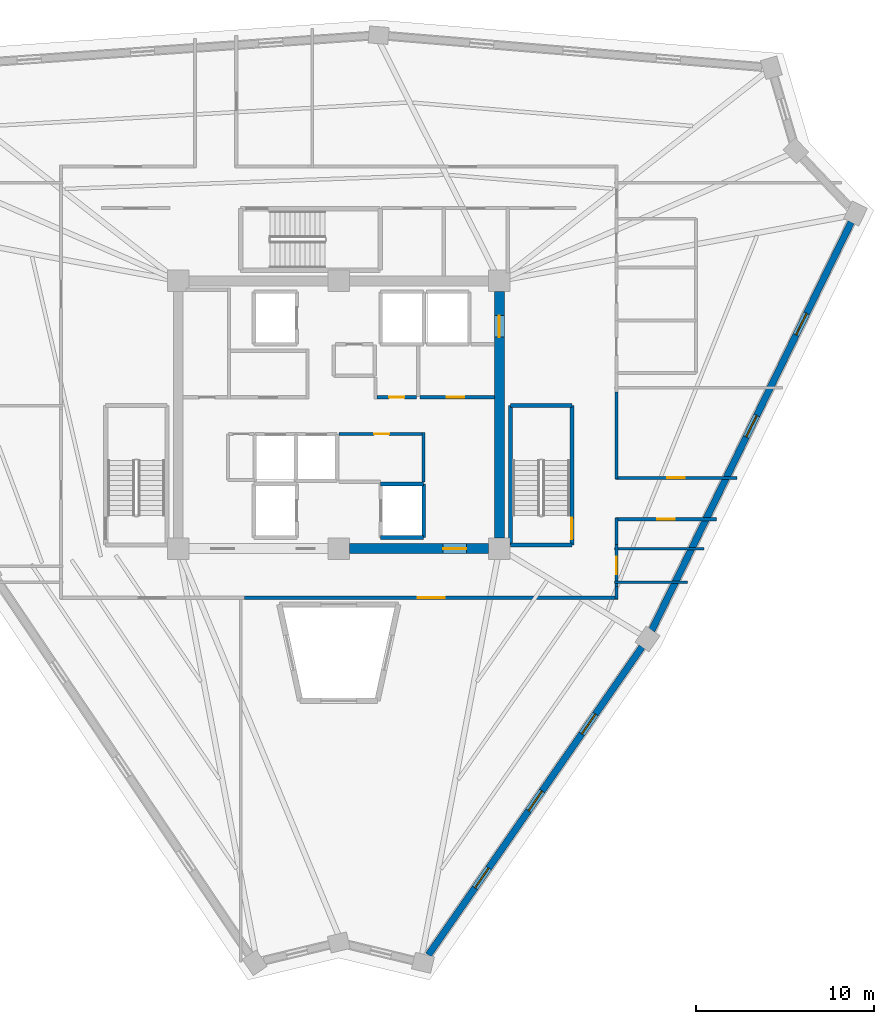
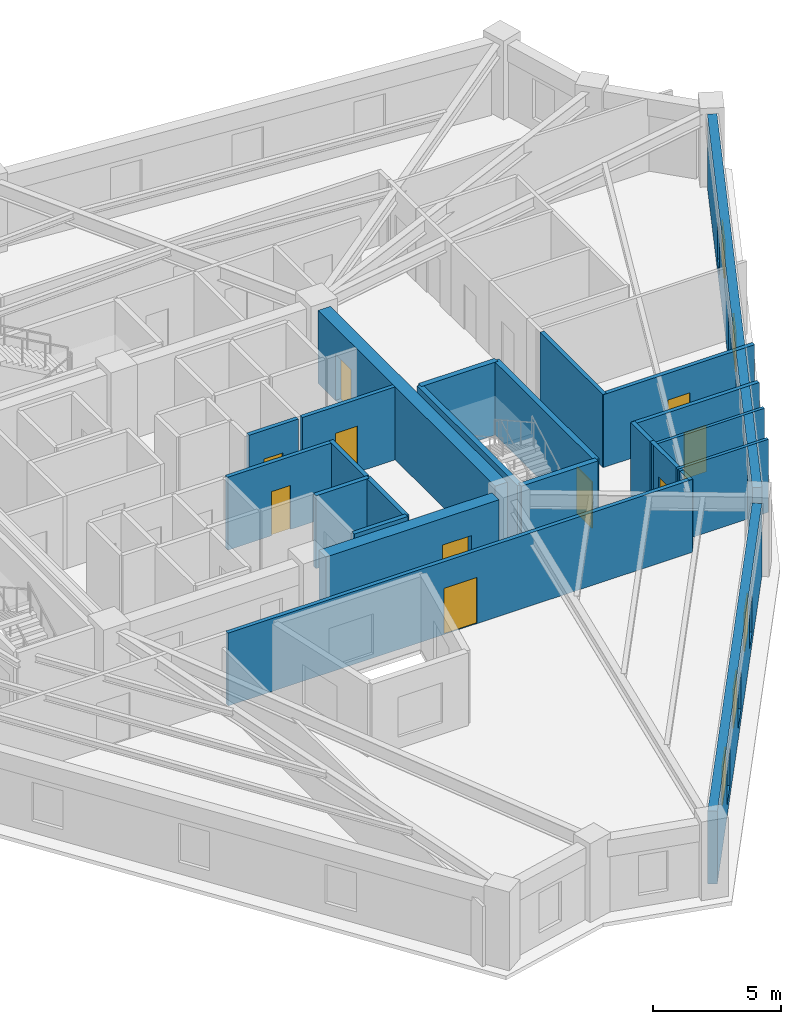
# One storey, part 4 of 8: 24 walls, 10 doors, 5 windows, 15 openings.
"""IFC4 building model written with IfcOpenShell, lengths in metres."""

from ifc_helpers import new_model, si_unit, direction, frame, frame_2d, origin, place, context, subcontext, project, spatial, rectangle, extrude, source, transform, mapped, material, layer, layer_set, type_object, element, fill, save


model = new_model("IFC4")

# Units and contexts
model_context = context("Model", 3, precision=1e-05, world=origin(), true_north=direction((0.0, 1.0)))
body_context = subcontext(model_context, "Body", "Model", "MODEL_VIEW")
ifc_project = project(units=[si_unit("LENGTHUNIT", "METRE"), si_unit("AREAUNIT", "SQUARE_METRE"), si_unit("VOLUMEUNIT", "CUBIC_METRE"), si_unit("PLANEANGLEUNIT", "RADIAN"), si_unit("MASSUNIT", "GRAM", prefix="KILO")], contexts=[model_context])

# Site, building, storey
site_placement = place(None, origin())
site = spatial("IfcSite", under=ifc_project, at=site_placement, CompositionType="ELEMENT")
building_placement = place(site_placement, origin())
building = spatial("IfcBuilding", under=site, at=building_placement, Name="Liaohun Quay Tower", CompositionType="ELEMENT")
storey_placement = place(building_placement, frame((0.0, 0.0, 347.25)))
storey = spatial("IfcBuildingStorey", under=building, at=storey_placement, Name="L90", CompositionType="ELEMENT", Elevation=347.25)

# Wall, opening, door
ifc_material_1 = material(Name="Concrete C50", Category="concrete")
ifc_layer_1 = layer(ifc_material_1, 0.550048828125, Name="Concrete C50", Category="concrete")
ifc_layer_set_1 = layer_set([ifc_layer_1], Name="Concrete C50")
wall_type_1 = type_object("IfcWallType", Name="WAL-COR-Z4", PredefinedType="SHEAR", material=ifc_layer_set_1)
wall_1_placement = place(storey_placement, frame((69.0, 60.89990234375, 0.0), z_axis=(0.0, 0.0, 1.0), x_axis=(0.0, -1.0, 0.0)))
wall_1 = element("IfcWall", 1, at=wall_1_placement, inside=storey, type_object=wall_type_1, Name="L90 Central Core Shear Wall E", PredefinedType="SHEAR", context=body_context, shape_type="SweptSolid", body=[
    extrude(rectangle(XDim=13.7998046875, YDim=0.550048828125, at=frame_2d((6.89990234375, 0.0))), origin(), (0.0, 0.0, 1.0), 3.469970703125),
])
shared_shape_1 = source(origin(), body_context, "Body", "SweptSolid", [
    extrude(rectangle(XDim=1.199951171875, YDim=2.199951171875, at=frame_2d((0.60009765625, 1.10009765625))), frame((0.0, 0.284912109375, 0.0), z_axis=(0.0, -1.0, 0.0), x_axis=(1.0, 0.0, 0.0)), (0.0, 0.0, 1.0), 0.570068359375),
])
opening_1_placement = place(wall_1_placement, frame((1.35009765625, 0.0, 0.0)))
opening_1 = element("IfcOpeningElement", 2, at=opening_1_placement, cuts=wall_1, Name="Opening SD1", PredefinedType="OPENING", context=body_context, shape_type="MappedRepresentation", body=[
    mapped(shared_shape_1, transform((0.0, 0.0, 0.0), x_axis=(1.0, 0.0, 0.0), y_axis=(0.0, 1.0, 0.0), z_axis=(0.0, 0.0, 1.0), scale=1.0)),
])
ifc_material_2 = material(Name="Galvanised steel fire door", Category="steel")
door_type_1 = type_object("IfcDoorType", Name="DOR-STR-1200", OperationType="NOTDEFINED", PredefinedType="DOOR", material=ifc_material_2)
shared_shape_2 = source(origin(), body_context, "Body", "SweptSolid", [
    extrude(rectangle(XDim=1.199951171875, YDim=2.199951171875, at=frame_2d((0.60009765625, 1.10009765625))), frame((0.0, 0.02490234375, 0.0), z_axis=(0.0, -1.0, 0.0), x_axis=(1.0, 0.0, 0.0)), (0.0, 0.0, 1.0), 0.050048828125),
])
door_1_placement = place(opening_1_placement, origin())
door_1 = element("IfcDoor", 3, at=door_1_placement, inside=storey, type_object=door_type_1, Name="L90 North-East Core Lobby Smokeproof Door", OperationType="SINGLE_SWING_LEFT", OverallHeight=2.199951171875, OverallWidth=1.199951171875, PredefinedType="DOOR", context=body_context, shape_type="MappedRepresentation", body=[
    mapped(shared_shape_2, transform((0.0, 0.0, 0.0), x_axis=(1.0, 0.0, 0.0), y_axis=(0.0, 1.0, 0.0), z_axis=(0.0, 0.0, 1.0), scale=1.0)),
])
fill(opening_1, door_1)

wall_2_placement = place(storey_placement, frame((68.39990234375, 46.5, 0.0), z_axis=(0.0, 0.0, 1.0), x_axis=(-1.0, 0.0, 0.0)))
wall_2 = element("IfcWall", 4, at=wall_2_placement, inside=storey, type_object=wall_type_1, Name="L90 Central Core Shear Wall S-E", PredefinedType="SHEAR", context=body_context, shape_type="SweptSolid", body=[
    extrude(rectangle(XDim=7.7998046875, YDim=0.550048828125, at=frame_2d((3.89990234375, 0.0))), origin(), (0.0, 0.0, 1.0), 3.469970703125),
])
shared_shape_3 = source(origin(), body_context, "Body", "SweptSolid", [
    extrude(rectangle(XDim=1.300048828125, YDim=2.199951171875, at=frame_2d((0.64990234375, 1.10009765625))), frame((0.0, 0.284912109375, 0.0), z_axis=(0.0, -1.0, 0.0), x_axis=(1.0, 0.0, 0.0)), (0.0, 0.0, 1.0), 0.570068359375),
])
opening_2_placement = place(wall_2_placement, frame((1.25, 0.0, 0.0)))
opening_2 = element("IfcOpeningElement", 5, at=opening_2_placement, cuts=wall_2, Name="Opening FD1", PredefinedType="OPENING", context=body_context, shape_type="MappedRepresentation", body=[
    mapped(shared_shape_3, transform((0.0, 0.0, 0.0), x_axis=(1.0, 0.0, 0.0), y_axis=(0.0, 1.0, 0.0), z_axis=(0.0, 0.0, 1.0), scale=1.0)),
])
ifc_material_3 = material(Name="Galvanised steel smokeproof fire door", Category="steel")
door_type_2 = type_object("IfcDoorType", Name="DOR-FFL-1300", OperationType="NOTDEFINED", PredefinedType="DOOR", material=ifc_material_3)
shared_shape_4 = source(origin(), body_context, "Body", "SweptSolid", [
    extrude(rectangle(XDim=1.300048828125, YDim=2.199951171875, at=frame_2d((0.64990234375, 1.10009765625))), frame((0.0, 0.02490234375, 0.0), z_axis=(0.0, -1.0, 0.0), x_axis=(1.0, 0.0, 0.0)), (0.0, 0.0, 1.0), 0.050048828125),
])
door_2_placement = place(opening_2_placement, origin())
door_2 = element("IfcDoor", 6, at=door_2_placement, inside=storey, type_object=door_type_2, Name="L90 East Core Lift Lobby Smokeproof Door", OperationType="SINGLE_SWING_LEFT", OverallHeight=2.199951171875, OverallWidth=1.300048828125, PredefinedType="DOOR", context=body_context, shape_type="MappedRepresentation", body=[
    mapped(shared_shape_4, transform((0.0, 0.0, 0.0), x_axis=(1.0, 0.0, 0.0), y_axis=(0.0, 1.0, 0.0), z_axis=(0.0, 0.0, 1.0), scale=1.0)),
])
fill(opening_2, door_2)

# Wall, openings, windows
ifc_material_4 = material(Name="Precast concrete C50 insulated sandwich", Category="concrete")
ifc_layer_2 = layer(ifc_material_4, 0.3798828125, Name="Precast concrete C50 insulated sandwich", Category="concrete")
ifc_layer_set_2 = layer_set([ifc_layer_2], Name="Precast concrete C50 insulated sandwich")
wall_type_2 = type_object("IfcWallType", Name="WAL-EXT-Z34", PredefinedType="SOLIDWALL", material=ifc_layer_set_2)
wall_3_placement = place(storey_placement, frame((65.02294921875, 23.736083984375, 0.0), z_axis=(0.0, 0.0, 1.0), x_axis=(0.569887562459, 0.821722682025, 0.0)))
wall_3 = element("IfcWall", 7, at=wall_3_placement, inside=storey, type_object=wall_type_2, Name="L90 Brutalist Precast Pier Wall 02", PredefinedType="SOLIDWALL", context=body_context, shape_type="SweptSolid", body=[
    extrude(rectangle(XDim=20.997314453125, YDim=0.3798828125, at=frame_2d((10.49853515625, 0.0))), origin(), (0.0, 0.0, 1.0), 3.469970703125),
])
shared_shape_5 = source(origin(), body_context, "Body", "SweptSolid", [
    extrude(rectangle(XDim=1.35009765625, YDim=1.85009765625, at=frame_2d((0.675048828125, 0.925048828125))), frame((0.0, 0.199951171875, 0.0), z_axis=(0.0, -1.0, 0.0), x_axis=(1.0, 0.0, 0.0)), (0.0, 0.0, 1.0), 0.39990234375),
])
opening_3_placement = place(wall_3_placement, frame((4.573974609375, 0.0, 0.550048828125)))
opening_3 = element("IfcOpeningElement", 8, at=opening_3_placement, cuts=wall_3, Name="Opening W04", PredefinedType="OPENING", context=body_context, shape_type="MappedRepresentation", body=[
    mapped(shared_shape_5, transform((0.0, 0.0, 0.0), x_axis=(1.0, 0.0, 0.0), y_axis=(0.0, 1.0, 0.0), z_axis=(0.0, 0.0, 1.0), scale=1.0)),
])
opening_4_placement = place(wall_3_placement, frame((9.823974609375, 0.0, 0.550048828125)))
opening_4 = element("IfcOpeningElement", 9, at=opening_4_placement, cuts=wall_3, Name="Opening W04", PredefinedType="OPENING", context=body_context, shape_type="MappedRepresentation", body=[
    mapped(shared_shape_5, transform((0.0, 0.0, 0.0), x_axis=(1.0, 0.0, 0.0), y_axis=(0.0, 1.0, 0.0), z_axis=(0.0, 0.0, 1.0), scale=1.0)),
])
opening_5_placement = place(wall_3_placement, frame((15.072998046875, 0.0, 0.550048828125)))
opening_5 = element("IfcOpeningElement", 10, at=opening_5_placement, cuts=wall_3, Name="Opening W04", PredefinedType="OPENING", context=body_context, shape_type="MappedRepresentation", body=[
    mapped(shared_shape_5, transform((0.0, 0.0, 0.0), x_axis=(1.0, 0.0, 0.0), y_axis=(0.0, 1.0, 0.0), z_axis=(0.0, 0.0, 1.0), scale=1.0)),
])
ifc_material_5 = material(Name="Triple Low-E argon glazing in thermally broken aluminium", Category="aluminium")
window_type = type_object("IfcWindowType", Name="WIN-PUN-Z4", PartitioningType="SINGLE_PANEL", PredefinedType="WINDOW", material=ifc_material_5)
shared_shape_6 = source(origin(), body_context, "Body", "SweptSolid", [
    extrude(rectangle(XDim=1.35009765625, YDim=1.85009765625, at=frame_2d((0.675048828125, 0.925048828125))), frame((0.0, 0.030029296875, 0.0), z_axis=(0.0, -1.0, 0.0), x_axis=(1.0, 0.0, 0.0)), (0.0, 0.0, 1.0), 0.06005859375),
])
window_1_placement = place(opening_3_placement, origin())
window_1 = element("IfcWindow", 11, at=window_1_placement, inside=storey, type_object=window_type, Name="L90 Recessed Cold-Climate Punched Window 02-1", OverallHeight=1.85009765625, OverallWidth=1.35009765625, PartitioningType="SINGLE_PANEL", PredefinedType="WINDOW", context=body_context, shape_type="MappedRepresentation", body=[
    mapped(shared_shape_6, transform((0.0, 0.0, 0.0), x_axis=(1.0, 0.0, 0.0), y_axis=(0.0, 1.0, 0.0), z_axis=(0.0, 0.0, 1.0), scale=1.0)),
])
fill(opening_3, window_1)
window_2_placement = place(opening_4_placement, origin())
window_2 = element("IfcWindow", 12, at=window_2_placement, inside=storey, type_object=window_type, Name="L90 Recessed Cold-Climate Punched Window 02-2", OverallHeight=1.85009765625, OverallWidth=1.35009765625, PartitioningType="SINGLE_PANEL", PredefinedType="WINDOW", context=body_context, shape_type="MappedRepresentation", body=[
    mapped(shared_shape_6, transform((0.0, 0.0, 0.0), x_axis=(1.0, 0.0, 0.0), y_axis=(0.0, 1.0, 0.0), z_axis=(0.0, 0.0, 1.0), scale=1.0)),
])
fill(opening_4, window_2)
window_3_placement = place(opening_5_placement, origin())
window_3 = element("IfcWindow", 13, at=window_3_placement, inside=storey, type_object=window_type, Name="L90 Recessed Cold-Climate Punched Window 02-3", OverallHeight=1.85009765625, OverallWidth=1.35009765625, PartitioningType="SINGLE_PANEL", PredefinedType="WINDOW", context=body_context, shape_type="MappedRepresentation", body=[
    mapped(shared_shape_6, transform((0.0, 0.0, 0.0), x_axis=(1.0, 0.0, 0.0), y_axis=(0.0, 1.0, 0.0), z_axis=(0.0, 0.0, 1.0), scale=1.0)),
])
fill(opening_5, window_3)

wall_4_placement = place(storey_placement, frame((77.533935546875, 41.9189453125, 0.0), z_axis=(0.0, 0.0, 1.0), x_axis=(0.438992867409, 0.898490546619, 0.0)))
wall_4 = element("IfcWall", 14, at=wall_4_placement, inside=storey, type_object=wall_type_2, Name="L90 Brutalist Precast Pier Wall 03", PredefinedType="SOLIDWALL", context=body_context, shape_type="SweptSolid", body=[
    extrude(rectangle(XDim=25.4560546875, YDim=0.3798828125, at=frame_2d((12.72802734375, 0.0))), origin(), (0.0, 0.0, 1.0), 3.469970703125),
])
opening_6_placement = place(wall_4_placement, frame((12.052978515625, 0.0, 0.550048828125)))
opening_6 = element("IfcOpeningElement", 15, at=opening_6_placement, cuts=wall_4, Name="Opening W04", PredefinedType="OPENING", context=body_context, shape_type="MappedRepresentation", body=[
    mapped(shared_shape_5, transform((0.0, 0.0, 0.0), x_axis=(1.0, 0.0, 0.0), y_axis=(0.0, 1.0, 0.0), z_axis=(0.0, 0.0, 1.0), scale=1.0)),
])
opening_7_placement = place(wall_4_placement, frame((18.4169921875, 0.0, 0.550048828125)))
opening_7 = element("IfcOpeningElement", 16, at=opening_7_placement, cuts=wall_4, Name="Opening W04", PredefinedType="OPENING", context=body_context, shape_type="MappedRepresentation", body=[
    mapped(shared_shape_5, transform((0.0, 0.0, 0.0), x_axis=(1.0, 0.0, 0.0), y_axis=(0.0, 1.0, 0.0), z_axis=(0.0, 0.0, 1.0), scale=1.0)),
])
window_4_placement = place(opening_6_placement, origin())
window_4 = element("IfcWindow", 17, at=window_4_placement, inside=storey, type_object=window_type, Name="L90 Recessed Cold-Climate Punched Window 03-2", OverallHeight=1.85009765625, OverallWidth=1.35009765625, PartitioningType="SINGLE_PANEL", PredefinedType="WINDOW", context=body_context, shape_type="MappedRepresentation", body=[
    mapped(shared_shape_6, transform((0.0, 0.0, 0.0), x_axis=(1.0, 0.0, 0.0), y_axis=(0.0, 1.0, 0.0), z_axis=(0.0, 0.0, 1.0), scale=1.0)),
])
fill(opening_6, window_4)
window_5_placement = place(opening_7_placement, origin())
window_5 = element("IfcWindow", 18, at=window_5_placement, inside=storey, type_object=window_type, Name="L90 Recessed Cold-Climate Punched Window 03-3", OverallHeight=1.85009765625, OverallWidth=1.35009765625, PartitioningType="SINGLE_PANEL", PredefinedType="WINDOW", context=body_context, shape_type="MappedRepresentation", body=[
    mapped(shared_shape_6, transform((0.0, 0.0, 0.0), x_axis=(1.0, 0.0, 0.0), y_axis=(0.0, 1.0, 0.0), z_axis=(0.0, 0.0, 1.0), scale=1.0)),
])
fill(opening_7, window_5)

# Wall, opening, door
ifc_material_6 = material(Name="Autoclaved aerated concrete blockwork", Category="masonry")
ifc_layer_3 = layer(ifc_material_6, 0.179931640625, Name="Autoclaved aerated concrete blockwork", Category="masonry")
ifc_layer_set_3 = layer_set([ifc_layer_3], Name="Autoclaved aerated concrete blockwork")
wall_type_3 = type_object("IfcWallType", Name="WAL-PRT-COR", PredefinedType="PARTITIONING", material=ifc_layer_set_3)
wall_5_placement = place(storey_placement, frame((60.0, 52.919921875, 0.0), z_axis=(0.0, 0.0, 1.0), x_axis=(1.0, 0.0, 0.0)))
wall_5 = element("IfcWall", 19, at=wall_5_placement, inside=storey, type_object=wall_type_3, Name="L90 Interior Partition Wall 001", PredefinedType="PARTITIONING", context=body_context, shape_type="SweptSolid", body=[
    extrude(rectangle(XDim=4.659912109375, YDim=0.179931640625, at=frame_2d((2.330078125, 0.0))), origin(), (0.0, 0.0, 1.0), 3.469970703125),
])
shared_shape_7 = source(origin(), body_context, "Body", "SweptSolid", [
    extrude(rectangle(XDim=0.85009765625, YDim=2.10009765625, at=frame_2d((0.425048828125, 1.050048828125))), frame((0.0, 0.099853515625, 0.0), z_axis=(0.0, -1.0, 0.0), x_axis=(1.0, 0.0, 0.0)), (0.0, 0.0, 1.0), 0.199951171875),
])
opening_8_placement = place(wall_5_placement, frame((1.97509765625, 0.0, 0.0)))
opening_8 = element("IfcOpeningElement", 20, at=opening_8_placement, cuts=wall_5, Name="Opening AD1", PredefinedType="OPENING", context=body_context, shape_type="MappedRepresentation", body=[
    mapped(shared_shape_7, transform((0.0, 0.0, 0.0), x_axis=(1.0, 0.0, 0.0), y_axis=(0.0, 1.0, 0.0), z_axis=(0.0, 0.0, 1.0), scale=1.0)),
])
ifc_material_7 = material(Name="Steel riser inspection fire door", Category="steel")
door_type_3 = type_object("IfcDoorType", Name="DOR-SHF-850", OperationType="NOTDEFINED", PredefinedType="DOOR", material=ifc_material_7)
shared_shape_8 = source(origin(), body_context, "Body", "SweptSolid", [
    extrude(rectangle(XDim=0.85009765625, YDim=2.10009765625, at=frame_2d((0.425048828125, 1.050048828125))), frame((0.0, 0.02490234375, 0.0), z_axis=(0.0, -1.0, 0.0), x_axis=(1.0, 0.0, 0.0)), (0.0, 0.0, 1.0), 0.050048828125),
])
door_3_placement = place(opening_8_placement, origin())
door_3 = element("IfcDoor", 21, at=door_3_placement, inside=storey, type_object=door_type_3, Name="L90 Core High-Zone BMS and Switch Room Door", OperationType="SINGLE_SWING_RIGHT", OverallHeight=2.10009765625, OverallWidth=0.85009765625, PredefinedType="DOOR", context=body_context, shape_type="MappedRepresentation", body=[
    mapped(shared_shape_8, transform((0.0, 0.0, 0.0), x_axis=(1.0, 0.0, 0.0), y_axis=(0.0, 1.0, 0.0), z_axis=(0.0, 0.0, 1.0), scale=1.0)),
])
fill(opening_8, door_3)

wall_6_placement = place(storey_placement, frame((62.139892578125, 54.97998046875, 0.0), z_axis=(0.0, 0.0, 1.0), x_axis=(1.0, 0.0, 0.0)))
wall_6 = element("IfcWall", 22, at=wall_6_placement, inside=storey, type_object=wall_type_3, Name="L90 Interior Partition Wall 004", PredefinedType="PARTITIONING", context=body_context, shape_type="SweptSolid", body=[
    extrude(rectangle(XDim=2.22021484375, YDim=0.179931640625, at=frame_2d((1.110107421875, 0.0))), origin(), (0.0, 0.0, 1.0), 3.469970703125),
])
opening_9_placement = place(wall_6_placement, frame((0.68505859375, 0.0, 0.0)))
opening_9 = element("IfcOpeningElement", 23, at=opening_9_placement, cuts=wall_6, Name="Opening AD1", PredefinedType="OPENING", context=body_context, shape_type="MappedRepresentation", body=[
    mapped(shared_shape_7, transform((0.0, 0.0, 0.0), x_axis=(1.0, 0.0, 0.0), y_axis=(0.0, 1.0, 0.0), z_axis=(0.0, 0.0, 1.0), scale=1.0)),
])
door_4_placement = place(opening_9_placement, origin())
door_4 = element("IfcDoor", 24, at=door_4_placement, inside=storey, type_object=door_type_3, Name="L90 Core Cleaner Store Door", OperationType="SINGLE_SWING_LEFT", OverallHeight=2.10009765625, OverallWidth=0.85009765625, PredefinedType="DOOR", context=body_context, shape_type="MappedRepresentation", body=[
    mapped(shared_shape_8, transform((0.0, 0.0, 0.0), x_axis=(1.0, 0.0, 0.0), y_axis=(0.0, 1.0, 0.0), z_axis=(0.0, 0.0, 1.0), scale=1.0)),
])
fill(opening_9, door_4)

wall_7_placement = place(storey_placement, frame((64.5400390625, 54.97998046875, 0.0), z_axis=(0.0, 0.0, 1.0), x_axis=(1.0, 0.0, 0.0)))
wall_7 = element("IfcWall", 25, at=wall_7_placement, inside=storey, type_object=wall_type_3, Name="L90 Interior Partition Wall 005", PredefinedType="PARTITIONING", context=body_context, shape_type="SweptSolid", body=[
    extrude(rectangle(XDim=4.18505859375, YDim=0.179931640625, at=frame_2d((2.092529296875, 0.0))), origin(), (0.0, 0.0, 1.0), 3.469970703125),
])
shared_shape_9 = source(origin(), body_context, "Body", "SweptSolid", [
    extrude(rectangle(XDim=1.0, YDim=2.199951171875, at=frame_2d((0.5, 1.10009765625))), frame((0.0, 0.099853515625, 0.0), z_axis=(0.0, -1.0, 0.0), x_axis=(1.0, 0.0, 0.0)), (0.0, 0.0, 1.0), 0.199951171875),
])
opening_10_placement = place(wall_7_placement, frame((1.4951171875, 0.0, 0.0)))
opening_10 = element("IfcOpeningElement", 26, at=opening_10_placement, cuts=wall_7, Name="Opening OD1", PredefinedType="OPENING", context=body_context, shape_type="MappedRepresentation", body=[
    mapped(shared_shape_9, transform((0.0, 0.0, 0.0), x_axis=(1.0, 0.0, 0.0), y_axis=(0.0, 1.0, 0.0), z_axis=(0.0, 0.0, 1.0), scale=1.0)),
])
ifc_material_8 = material(Name="Solid-core oak veneer timber leaf in steel frame", Category="steel")
door_type_4 = type_object("IfcDoorType", Name="DOR-OFF-1000", OperationType="NOTDEFINED", PredefinedType="DOOR", material=ifc_material_8)
shared_shape_10 = source(origin(), body_context, "Body", "SweptSolid", [
    extrude(rectangle(XDim=1.0, YDim=2.199951171875, at=frame_2d((0.5, 1.10009765625))), frame((0.0, 0.02490234375, 0.0), z_axis=(0.0, -1.0, 0.0), x_axis=(1.0, 0.0, 0.0)), (0.0, 0.0, 1.0), 0.050048828125),
])
door_5_placement = place(opening_10_placement, origin())
door_5 = element("IfcDoor", 27, at=door_5_placement, inside=storey, type_object=door_type_4, Name="L90 Core High-Zone Pantry Room Door", OperationType="SINGLE_SWING_RIGHT", OverallHeight=2.199951171875, OverallWidth=1.0, PredefinedType="DOOR", context=body_context, shape_type="MappedRepresentation", body=[
    mapped(shared_shape_10, transform((0.0, 0.0, 0.0), x_axis=(1.0, 0.0, 0.0), y_axis=(0.0, 1.0, 0.0), z_axis=(0.0, 0.0, 1.0), scale=1.0)),
])
fill(opening_10, door_5)

wall_8_placement = place(storey_placement, frame((75.6298828125, 43.739990234375, 0.0), z_axis=(0.0, 0.0, 1.0), x_axis=(-1.0, 0.0, 0.0)))
wall_8 = element("IfcWall", 28, at=wall_8_placement, inside=storey, type_object=wall_type_3, Name="L90 Interior Partition Wall 022", PredefinedType="PARTITIONING", context=body_context, shape_type="SweptSolid", body=[
    extrude(rectangle(XDim=20.914794921875, YDim=0.179931640625, at=frame_2d((10.45751953125, 0.0))), origin(), (0.0, 0.0, 1.0), 3.469970703125),
])
shared_shape_11 = source(origin(), body_context, "Body", "SweptSolid", [
    extrude(rectangle(XDim=1.5, YDim=2.199951171875, at=frame_2d((0.75, 1.10009765625))), frame((0.0, 0.099853515625, 0.0), z_axis=(0.0, -1.0, 0.0), x_axis=(1.0, 0.0, 0.0)), (0.0, 0.0, 1.0), 0.199951171875),
])
opening_11_placement = place(wall_8_placement, frame((9.70703125, 0.0, 0.0)))
opening_11 = element("IfcOpeningElement", 29, at=opening_11_placement, cuts=wall_8, Name="Opening OD2", PredefinedType="OPENING", context=body_context, shape_type="MappedRepresentation", body=[
    mapped(shared_shape_11, transform((0.0, 0.0, 0.0), x_axis=(1.0, 0.0, 0.0), y_axis=(0.0, 1.0, 0.0), z_axis=(0.0, 0.0, 1.0), scale=1.0)),
])
ifc_material_9 = material(Name="Acoustic oak veneer double door")
door_type_5 = type_object("IfcDoorType", Name="DOR-OFF-1500", OperationType="DOUBLE_DOOR_SINGLE_SWING", PredefinedType="DOOR", material=ifc_material_9)
shared_shape_12 = source(origin(), body_context, "Body", "SweptSolid", [
    extrude(rectangle(XDim=1.5, YDim=2.199951171875, at=frame_2d((0.75, 1.10009765625))), frame((0.0, 0.02490234375, 0.0), z_axis=(0.0, -1.0, 0.0), x_axis=(1.0, 0.0, 0.0)), (0.0, 0.0, 1.0), 0.050048828125),
])
door_6_placement = place(opening_11_placement, origin())
door_6 = element("IfcDoor", 30, at=door_6_placement, inside=storey, type_object=door_type_5, Name="L90 Corporate Exhibition Gallery 08 Door", OperationType="DOUBLE_DOOR_SINGLE_SWING", OverallHeight=2.199951171875, OverallWidth=1.5, PredefinedType="DOOR", context=body_context, shape_type="MappedRepresentation", body=[
    mapped(shared_shape_12, transform((0.0, 0.0, 0.0), x_axis=(1.0, 0.0, 0.0), y_axis=(0.0, 1.0, 0.0), z_axis=(0.0, 0.0, 1.0), scale=1.0)),
])
fill(opening_11, door_6)

wall_9_placement = place(storey_placement, frame((75.56005859375, 46.715087890625, 0.0), z_axis=(0.0, 0.0, 1.0), x_axis=(0.0, -1.0, 0.0)))
wall_9 = element("IfcWall", 31, at=wall_9_placement, inside=storey, type_object=wall_type_3, Name="L90 Interior Partition Wall 023", PredefinedType="PARTITIONING", context=body_context, shape_type="SweptSolid", body=[
    extrude(rectangle(XDim=2.330078125, YDim=0.179931640625, at=frame_2d((1.1650390625, 0.0))), origin(), (0.0, 0.0, 1.0), 3.469970703125),
])
opening_12_placement = place(wall_9_placement, frame((0.6650390625, 0.0, 0.0)))
opening_12 = element("IfcOpeningElement", 32, at=opening_12_placement, cuts=wall_9, Name="Opening OD1", PredefinedType="OPENING", context=body_context, shape_type="MappedRepresentation", body=[
    mapped(shared_shape_9, transform((0.0, 0.0, 0.0), x_axis=(1.0, 0.0, 0.0), y_axis=(0.0, 1.0, 0.0), z_axis=(0.0, 0.0, 1.0), scale=1.0)),
])
door_7_placement = place(opening_12_placement, origin())
door_7 = element("IfcDoor", 33, at=door_7_placement, inside=storey, type_object=door_type_4, Name="L90 Records Archive Store 09 Door", OperationType="SINGLE_SWING_RIGHT", OverallHeight=2.199951171875, OverallWidth=1.0, PredefinedType="DOOR", context=body_context, shape_type="MappedRepresentation", body=[
    mapped(shared_shape_10, transform((0.0, 0.0, 0.0), x_axis=(1.0, 0.0, 0.0), y_axis=(0.0, 1.0, 0.0), z_axis=(0.0, 0.0, 1.0), scale=1.0)),
])
fill(opening_12, door_7)

wall_10_placement = place(storey_placement, frame((81.166015625, 48.139892578125, 0.0), z_axis=(0.0, 0.0, 1.0), x_axis=(-1.0, 0.0, 0.0)))
wall_10 = element("IfcWall", 34, at=wall_10_placement, inside=storey, type_object=wall_type_3, Name="L90 Interior Partition Wall 024", PredefinedType="PARTITIONING", context=body_context, shape_type="SweptSolid", body=[
    extrude(rectangle(XDim=5.676025390625, YDim=0.179931640625, at=frame_2d((2.837890625, 0.0))), origin(), (0.0, 0.0, 1.0), 3.469970703125),
])
opening_13_placement = place(wall_10_placement, frame((2.337890625, 0.0, 0.0)))
opening_13 = element("IfcOpeningElement", 35, at=opening_13_placement, cuts=wall_10, Name="Opening OD1", PredefinedType="OPENING", context=body_context, shape_type="MappedRepresentation", body=[
    mapped(shared_shape_9, transform((0.0, 0.0, 0.0), x_axis=(1.0, 0.0, 0.0), y_axis=(0.0, 1.0, 0.0), z_axis=(0.0, 0.0, 1.0), scale=1.0)),
])
door_8_placement = place(opening_13_placement, origin())
door_8 = element("IfcDoor", 36, at=door_8_placement, inside=storey, type_object=door_type_4, Name="L90 Open-Plan Office Workplace 10 Door", OperationType="SINGLE_SWING_LEFT", OverallHeight=2.199951171875, OverallWidth=1.0, PredefinedType="DOOR", context=body_context, shape_type="MappedRepresentation", body=[
    mapped(shared_shape_10, transform((0.0, 0.0, 0.0), x_axis=(1.0, 0.0, 0.0), y_axis=(0.0, 1.0, 0.0), z_axis=(0.0, 0.0, 1.0), scale=1.0)),
])
fill(opening_13, door_8)

wall_11_placement = place(storey_placement, frame((75.489990234375, 50.4599609375, 0.0), z_axis=(0.0, 0.0, 1.0), x_axis=(1.0, 0.0, 0.0)))
wall_11 = element("IfcWall", 37, at=wall_11_placement, inside=storey, type_object=wall_type_3, Name="L90 Interior Partition Wall 025", PredefinedType="PARTITIONING", context=body_context, shape_type="SweptSolid", body=[
    extrude(rectangle(XDim=6.81005859375, YDim=0.179931640625, at=frame_2d((3.405029296875, 0.0))), origin(), (0.0, 0.0, 1.0), 3.469970703125),
])
opening_14_placement = place(wall_11_placement, frame((2.905029296875, 0.0, 0.0)))
opening_14 = element("IfcOpeningElement", 38, at=opening_14_placement, cuts=wall_11, Name="Opening OD1", PredefinedType="OPENING", context=body_context, shape_type="MappedRepresentation", body=[
    mapped(shared_shape_9, transform((0.0, 0.0, 0.0), x_axis=(1.0, 0.0, 0.0), y_axis=(0.0, 1.0, 0.0), z_axis=(0.0, 0.0, 1.0), scale=1.0)),
])
door_9_placement = place(opening_14_placement, origin())
door_9 = element("IfcDoor", 39, at=door_9_placement, inside=storey, type_object=door_type_4, Name="L90 Executive Partner Office 11 Door", OperationType="SINGLE_SWING_RIGHT", OverallHeight=2.199951171875, OverallWidth=1.0, PredefinedType="DOOR", context=body_context, shape_type="MappedRepresentation", body=[
    mapped(shared_shape_10, transform((0.0, 0.0, 0.0), x_axis=(1.0, 0.0, 0.0), y_axis=(0.0, 1.0, 0.0), z_axis=(0.0, 0.0, 1.0), scale=1.0)),
])
fill(opening_14, door_9)

# Walls
wall_12_placement = place(storey_placement, frame((75.56005859375, 44.385009765625, 0.0), z_axis=(0.0, 0.0, 1.0), x_axis=(0.0, -1.0, 0.0)))
element("IfcWall", 40, at=wall_12_placement, inside=storey, type_object=wall_type_3, Name="L90 Interior Partition Wall 045", PredefinedType="PARTITIONING", context=body_context, shape_type="SweptSolid", body=[
    extrude(rectangle(XDim=0.715087890625, YDim=0.179931640625, at=frame_2d((0.357421875, 0.0))), origin(), (0.0, 0.0, 1.0), 3.469970703125),
])
wall_13_placement = place(storey_placement, frame((75.56005859375, 48.2099609375, 0.0), z_axis=(0.0, 0.0, 1.0), x_axis=(0.0, -1.0, 0.0)))
element("IfcWall", 41, at=wall_13_placement, inside=storey, type_object=wall_type_3, Name="L90 Interior Partition Wall 046", PredefinedType="PARTITIONING", context=body_context, shape_type="SweptSolid", body=[
    extrude(rectangle(XDim=1.494873046875, YDim=0.179931640625, at=frame_2d((0.74755859375, 0.0))), origin(), (0.0, 0.0, 1.0), 3.469970703125),
])
wall_14_placement = place(storey_placement, frame((75.56005859375, 55.284912109375, 0.0), z_axis=(0.0, 0.0, 1.0), x_axis=(0.0, -1.0, 0.0)))
element("IfcWall", 42, at=wall_14_placement, inside=storey, type_object=wall_type_3, Name="L90 Interior Partition Wall 047", PredefinedType="PARTITIONING", context=body_context, shape_type="SweptSolid", body=[
    extrude(rectangle(XDim=4.89501953125, YDim=0.179931640625, at=frame_2d((2.447509765625, 0.0))), origin(), (0.0, 0.0, 1.0), 3.469970703125),
])
wall_15_placement = place(storey_placement, frame((64.75, 50.219970703125, 0.0), z_axis=(0.0, 0.0, 1.0), x_axis=(0.0, 1.0, 0.0)))
element("IfcWall", 43, at=wall_15_placement, inside=storey, type_object=wall_type_3, Name="L90 Interior Partition Wall 058", PredefinedType="PARTITIONING", context=body_context, shape_type="SweptSolid", body=[
    extrude(rectangle(XDim=2.7900390625, YDim=0.179931640625, at=frame_2d((1.39501953125, 0.0))), origin(), (0.0, 0.0, 1.0), 3.469970703125),
])
ifc_material_10 = material(Name="Gypsum board on twin steel studs", Category="steel")
ifc_layer_4 = layer(ifc_material_10, 0.139892578125, Name="Gypsum board on twin steel studs", Category="steel")
ifc_layer_set_4 = layer_set([ifc_layer_4], Name="Gypsum board on twin steel studs")
wall_type_4 = type_object("IfcWallType", Name="WAL-PRT-OFF", PredefinedType="PARTITIONING", material=ifc_layer_set_4)
wall_16_placement = place(storey_placement, frame((75.4599609375, 44.60009765625, 0.0), z_axis=(0.0, 0.0, 1.0), x_axis=(1.0, 0.0, 0.0)))
element("IfcWall", 44, at=wall_16_placement, inside=storey, type_object=wall_type_4, Name="L90 Interior Partition Wall 052", PredefinedType="PARTITIONING", context=body_context, shape_type="SweptSolid", body=[
    extrude(rectangle(XDim=4.0849609375, YDim=0.139892578125, at=frame_2d((2.04248046875, 0.0))), origin(), (0.0, 0.0, 1.0), 3.469970703125),
])
wall_17_placement = place(storey_placement, frame((75.4599609375, 46.5, 0.0), z_axis=(0.0, 0.0, 1.0), x_axis=(1.0, 0.0, 0.0)))
element("IfcWall", 45, at=wall_17_placement, inside=storey, type_object=wall_type_4, Name="L90 Interior Partition Wall 053", PredefinedType="PARTITIONING", context=body_context, shape_type="SweptSolid", body=[
    extrude(rectangle(XDim=5.012939453125, YDim=0.139892578125, at=frame_2d((2.50634765625, 0.0))), origin(), (0.0, 0.0, 1.0), 3.469970703125),
])
ifc_layer_5 = layer(ifc_material_1, 0.239990234375, Name="Concrete C50", Category="concrete")
ifc_layer_set_5 = layer_set([ifc_layer_5], Name="Concrete C50")
wall_type_5 = type_object("IfcWallType", Name="WAL-SHF-200", PredefinedType="SOLIDWALL", material=ifc_layer_set_5)
wall_18_placement = place(storey_placement, frame((69.6201171875, 46.699951171875, 0.0), z_axis=(0.0, 0.0, 1.0), x_axis=(1.0, 0.0, 0.0)))
element("IfcWall", 46, at=wall_18_placement, inside=storey, type_object=wall_type_5, Name="L90 Stairwell ST-2 Structural Core Wall S", PredefinedType="SOLIDWALL", context=body_context, shape_type="SweptSolid", body=[
    extrude(rectangle(XDim=3.43994140625, YDim=0.239990234375, at=frame_2d((1.719970703125, 0.0))), origin(), (0.0, 0.0, 1.0), 3.469970703125),
])

# Wall, opening, door
wall_19_placement = place(storey_placement, frame((73.06005859375, 46.699951171875, 0.0), z_axis=(0.0, 0.0, 1.0), x_axis=(0.0, 1.0, 0.0)))
wall_19 = element("IfcWall", 47, at=wall_19_placement, inside=storey, type_object=wall_type_5, Name="L90 Stairwell ST-2 Structural Core Wall E", PredefinedType="SOLIDWALL", context=body_context, shape_type="SweptSolid", body=[
    extrude(rectangle(XDim=7.820068359375, YDim=0.239990234375, at=frame_2d((3.91015625, 0.0))), origin(), (0.0, 0.0, 1.0), 3.469970703125),
])
shared_shape_13 = source(origin(), body_context, "Body", "SweptSolid", [
    extrude(rectangle(XDim=1.199951171875, YDim=2.199951171875, at=frame_2d((0.60009765625, 1.10009765625))), frame((0.0, 0.1298828125, 0.0), z_axis=(0.0, -1.0, 0.0), x_axis=(1.0, 0.0, 0.0)), (0.0, 0.0, 1.0), 0.260009765625),
])
opening_15_placement = place(wall_19_placement, frame((0.320068359375, 0.0, 0.0)))
opening_15 = element("IfcOpeningElement", 48, at=opening_15_placement, cuts=wall_19, Name="Opening SD1", PredefinedType="OPENING", context=body_context, shape_type="MappedRepresentation", body=[
    mapped(shared_shape_13, transform((0.0, 0.0, 0.0), x_axis=(1.0, 0.0, 0.0), y_axis=(0.0, 1.0, 0.0), z_axis=(0.0, 0.0, 1.0), scale=1.0)),
])
door_10_placement = place(opening_15_placement, origin())
door_10 = element("IfcDoor", 49, at=door_10_placement, inside=storey, type_object=door_type_1, Name="L90 Protected Stair ST-2 Fire Door", OperationType="SINGLE_SWING_RIGHT", OverallHeight=2.199951171875, OverallWidth=1.199951171875, PredefinedType="DOOR", context=body_context, shape_type="MappedRepresentation", body=[
    mapped(shared_shape_2, transform((0.0, 0.0, 0.0), x_axis=(1.0, 0.0, 0.0), y_axis=(0.0, 1.0, 0.0), z_axis=(0.0, 0.0, 1.0), scale=1.0)),
])
fill(opening_15, door_10)

# Walls
wall_20_placement = place(storey_placement, frame((73.06005859375, 54.52001953125, 0.0), z_axis=(0.0, 0.0, 1.0), x_axis=(-1.0, 0.0, 0.0)))
element("IfcWall", 50, at=wall_20_placement, inside=storey, type_object=wall_type_5, Name="L90 Stairwell ST-2 Structural Core Wall N", PredefinedType="SOLIDWALL", context=body_context, shape_type="SweptSolid", body=[
    extrude(rectangle(XDim=3.43994140625, YDim=0.239990234375, at=frame_2d((1.719970703125, 0.0))), origin(), (0.0, 0.0, 1.0), 3.469970703125),
])
wall_21_placement = place(storey_placement, frame((69.6201171875, 54.52001953125, 0.0), z_axis=(0.0, 0.0, 1.0), x_axis=(0.0, -1.0, 0.0)))
element("IfcWall", 51, at=wall_21_placement, inside=storey, type_object=wall_type_5, Name="L90 Stairwell ST-2 Structural Core Wall W", PredefinedType="SOLIDWALL", context=body_context, shape_type="SweptSolid", body=[
    extrude(rectangle(XDim=7.820068359375, YDim=0.239990234375, at=frame_2d((3.91015625, 0.0))), origin(), (0.0, 0.0, 1.0), 3.469970703125),
])
wall_22_placement = place(storey_placement, frame((62.35009765625, 47.1201171875, 0.0), z_axis=(0.0, 0.0, 1.0), x_axis=(1.0, 0.0, 0.0)))
element("IfcWall", 52, at=wall_22_placement, inside=storey, type_object=wall_type_5, Name="L90 Lift FF-02 Hoistway Wall S", PredefinedType="SOLIDWALL", context=body_context, shape_type="SweptSolid", body=[
    extrude(rectangle(XDim=2.39990234375, YDim=0.199951171875, at=frame_2d((1.199951171875, 0.0))), origin(), (0.0, 0.0, 1.0), 3.469970703125),
])
wall_23_placement = place(storey_placement, frame((64.75, 47.1201171875, 0.0), z_axis=(0.0, 0.0, 1.0), x_axis=(0.0, 1.0, 0.0)))
element("IfcWall", 53, at=wall_23_placement, inside=storey, type_object=wall_type_5, Name="L90 Lift FF-02 Hoistway Wall E", PredefinedType="SOLIDWALL", context=body_context, shape_type="SweptSolid", body=[
    extrude(rectangle(XDim=3.0, YDim=0.199951171875, at=frame_2d((1.5, 0.0))), origin(), (0.0, 0.0, 1.0), 3.469970703125),
])
wall_24_placement = place(storey_placement, frame((64.75, 50.1201171875, 0.0), z_axis=(0.0, 0.0, 1.0), x_axis=(-1.0, 0.0, 0.0)))
element("IfcWall", 54, at=wall_24_placement, inside=storey, type_object=wall_type_5, Name="L90 Lift FF-02 Hoistway Wall N", PredefinedType="SOLIDWALL", context=body_context, shape_type="SweptSolid", body=[
    extrude(rectangle(XDim=2.39990234375, YDim=0.199951171875, at=frame_2d((1.199951171875, 0.0))), origin(), (0.0, 0.0, 1.0), 3.469970703125),
])

save(model, "model.ifc")
